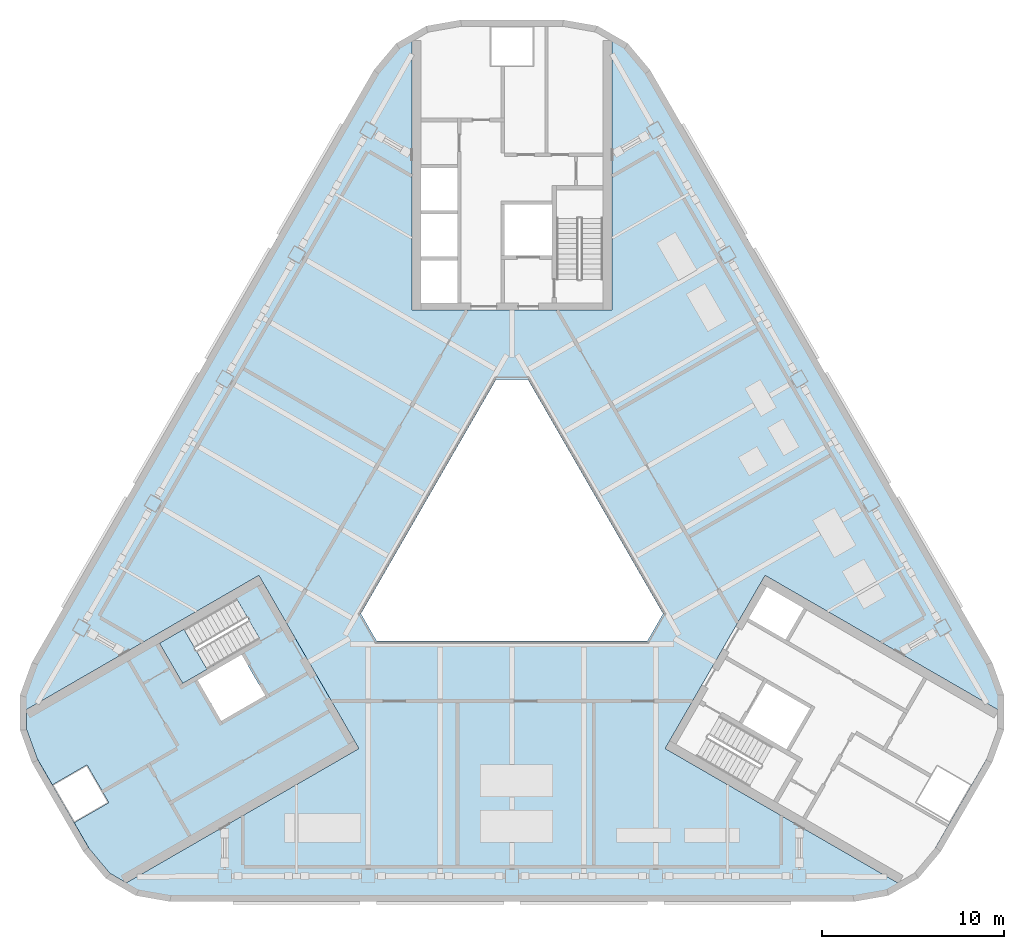
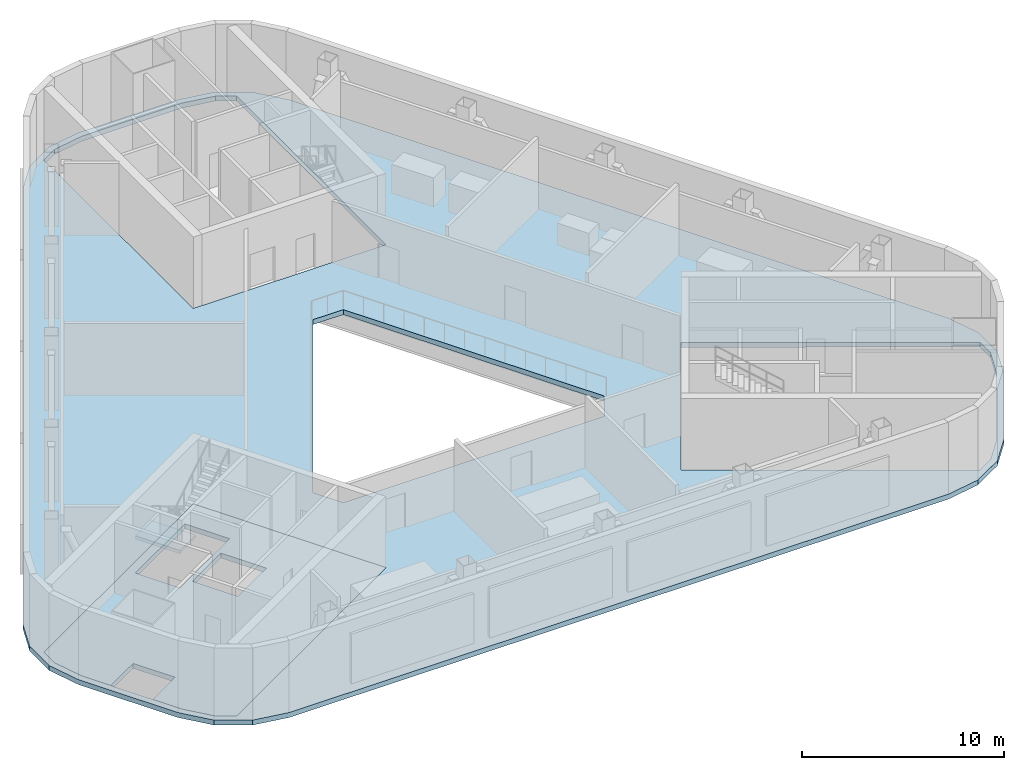
# One storey, part 4 of 14: 3 slabs, 1 element without a shape of its own.
"""IFC4 building model written with IfcOpenShell, lengths in metres."""

from ifc_helpers import new_model, si_unit, direction, frame, origin, place, context, subcontext, project, spatial, polyline, outline, extrude, material, layer, layer_set, type_object, element, aggregate, save


model = new_model("IFC4")

# Units and contexts
model_context = context("Model", 3, precision=1e-05, world=origin(), true_north=direction((0.0, 1.0)))
body_context = subcontext(model_context, "Body", "Model", "MODEL_VIEW")
ifc_project = project(units=[si_unit("LENGTHUNIT", "METRE"), si_unit("AREAUNIT", "SQUARE_METRE"), si_unit("VOLUMEUNIT", "CUBIC_METRE"), si_unit("PLANEANGLEUNIT", "RADIAN"), si_unit("MASSUNIT", "GRAM", prefix="KILO")], contexts=[model_context])

# Site, building, storey
site_placement = place(None, origin())
site = spatial("IfcSite", under=ifc_project, at=site_placement, CompositionType="ELEMENT")
building_placement = place(site_placement, origin())
building = spatial("IfcBuilding", under=site, at=building_placement, Name="Apuvela Tower Hotel", CompositionType="ELEMENT")
storey_placement = place(building_placement, frame((0.0, 0.0, 242.199951171875)))
storey = spatial("IfcBuildingStorey", under=building, at=storey_placement, Name="L59 Plant", CompositionType="ELEMENT", Elevation=242.199951171875)

# Slab
ifc_material_1 = material(Name="Concrete C50/60", Category="concrete")
ifc_layer_1 = layer(ifc_material_1, 0.300048828125)
ifc_layer_set_1 = layer_set([ifc_layer_1], Name="COR-FLOOR-300")
slab_type_1 = type_object("IfcSlabType", Name="COR-FLOOR-300", PredefinedType="FLOOR", material=ifc_layer_set_1)
slab_1_placement = place(storey_placement, frame((0.0, 0.0, -0.300048828125)))
element("IfcSlab", 1, at=slab_1_placement, inside=storey, type_object=slab_type_1, Name="Core floor SW", PredefinedType="FLOOR", context=body_context, shape_type="SweptSolid", body=[
    extrude(outline(polyline([(-26.711181640625, -9.07080078125), (-26.711181640625, -10.123291015625), (-26.109375, -11.77734375), (-25.28173828125, -13.210693359375), (-23.37646484375, -12.11083984375), (-22.176513671875, -14.189208984375), (-24.081787109375, -15.289306640625), (-23.254150390625, -16.72265625), (-22.122802734375, -18.071044921875), (-21.211181640625, -18.59716796875), (-8.421630859375, -11.213134765625), (-13.921630859375, -1.68701171875), (-26.711181640625, -9.07080078125)]), holes=[polyline([(-13.874267578125, -5.18115234375), (-18.112548828125, -7.628173828125), (-19.387451171875, -5.419921875), (-15.149169921875, -2.972900390625), (-13.874267578125, -5.18115234375)]), polyline([(-13.56982421875, -8.29638671875), (-15.99462890625, -9.6962890625), (-17.294677734375, -7.444580078125), (-14.869873046875, -6.044677734375), (-13.56982421875, -8.29638671875)])]), origin(), (0.0, 0.0, 1.0), 0.300048828125),
])

# Stair, slab
stair_type = type_object("IfcStairType", Name="COR-STAIR-26R", PredefinedType="HALF_TURN_STAIR", material=ifc_material_1)
stair_placement = place(storey_placement, origin())
stair = element("IfcStair", 2, at=stair_placement, inside=storey, type_object=stair_type, Name="L59 Plant Exit stair ST2", PredefinedType="HALF_TURN_STAIR")
ifc_layer_2 = layer(ifc_material_1, 0.199951171875)
ifc_layer_set_2 = layer_set([ifc_layer_2], Name="COR-LANDING-200")
slab_type_2 = type_object("IfcSlabType", Name="COR-LANDING-200", PredefinedType="LANDING", material=ifc_layer_set_2)
slab_2_placement = place(storey_placement, frame((0.0, 0.0, 2.050048828125)))
slab_2 = element("IfcSlab", 3, at=slab_2_placement, type_object=slab_type_2, Name="ST2 landing 1", PredefinedType="LANDING", context=body_context, shape_type="SweptSolid", body=[
    extrude(outline(polyline([(-18.048583984375, -4.64697265625), (-19.387451171875, -5.419921875), (-18.112548828125, -7.628173828125), (-16.773681640625, -6.855224609375), (-18.048583984375, -4.64697265625)])), origin(), (0.0, 0.0, 1.0), 0.199951171875),
])
aggregate(stair, [slab_2])

# Slab
ifc_material_2 = material(Name="Concrete C35/45", Category="concrete")
ifc_layer_3 = layer(ifc_material_2, 0.300048828125)
ifc_layer_set_3 = layer_set([ifc_layer_3], Name="STR-SLAB 300 floor Concrete C35/45")
slab_type_3 = type_object("IfcSlabType", Name="STR-SLAB 300 floor Concrete C35/45", PredefinedType="FLOOR", material=ifc_layer_set_3)
slab_3_placement = place(storey_placement, frame((0.0, 0.0, -0.300048828125)))
element("IfcSlab", 4, at=slab_3_placement, inside=storey, type_object=slab_type_3, Name="Floor slab S2 L59 Plant", PredefinedType="FLOOR", context=body_context, shape_type="SweptSolid", body=[
    extrude(outline(polyline([(7.59228515625, 26.110107421875), (6.3642578125, 27.5732421875), (4.710205078125, 28.5283203125), (2.8291015625, 28.860107421875), (-2.8291015625, 28.860107421875), (-4.710205078125, 28.5283203125), (-6.3642578125, 27.5732421875), (-7.59228515625, 26.110107421875), (-26.407958984375, -6.47998046875), (-27.061279296875, -8.27490234375), (-27.061279296875, -10.18505859375), (-26.407958984375, -11.97998046875), (-23.5791015625, -16.8798828125), (-22.351318359375, -18.34326171875), (-20.697021484375, -19.29833984375), (-18.81591796875, -19.6298828125), (18.81591796875, -19.6298828125), (20.697021484375, -19.29833984375), (22.351318359375, -18.34326171875), (23.5791015625, -16.8798828125), (26.407958984375, -11.97998046875), (27.061279296875, -10.18505859375), (27.061279296875, -8.27490234375), (26.407958984375, -6.47998046875), (7.59228515625, 26.110107421875)]), holes=[polyline([(0.865966796875, 9.10009765625), (-0.865966796875, 9.10009765625), (-8.313720703125, -3.800048828125), (-7.44775390625, -5.300048828125), (7.44775390625, -5.300048828125), (8.313720703125, -3.800048828125), (0.865966796875, 9.10009765625)]), polyline([(-5.5, 12.89990234375), (-5.5, 27.668212890625), (-4.588623046875, 28.1943359375), (-2.85498046875, 28.5), (2.85498046875, 28.5), (4.588623046875, 28.1943359375), (5.5, 27.668212890625), (5.5, 12.89990234375), (-5.5, 12.89990234375)]), polyline([(-8.421630859375, -11.213134765625), (-21.211181640625, -18.59716796875), (-22.122802734375, -18.071044921875), (-23.254150390625, -16.72265625), (-26.109375, -11.77734375), (-26.711181640625, -10.123291015625), (-26.711181640625, -9.07080078125), (-13.921630859375, -1.68701171875), (-8.421630859375, -11.213134765625)]), polyline([(13.921630859375, -1.68701171875), (26.711181640625, -9.07080078125), (26.711181640625, -10.123291015625), (26.109375, -11.77734375), (23.254150390625, -16.72265625), (22.122802734375, -18.071044921875), (21.211181640625, -18.59716796875), (8.421630859375, -11.213134765625), (13.921630859375, -1.68701171875)])]), origin(), (0.0, 0.0, 1.0), 0.300048828125),
])

save(model, "model.ifc")
